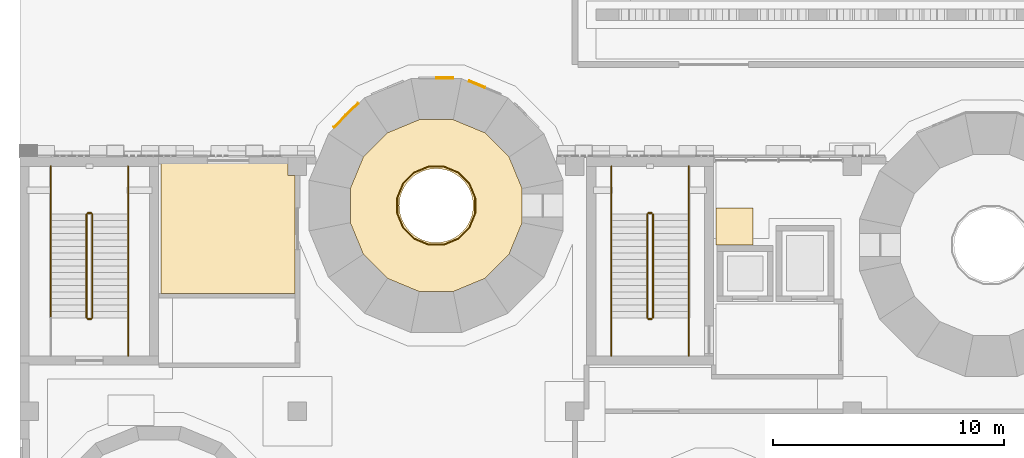
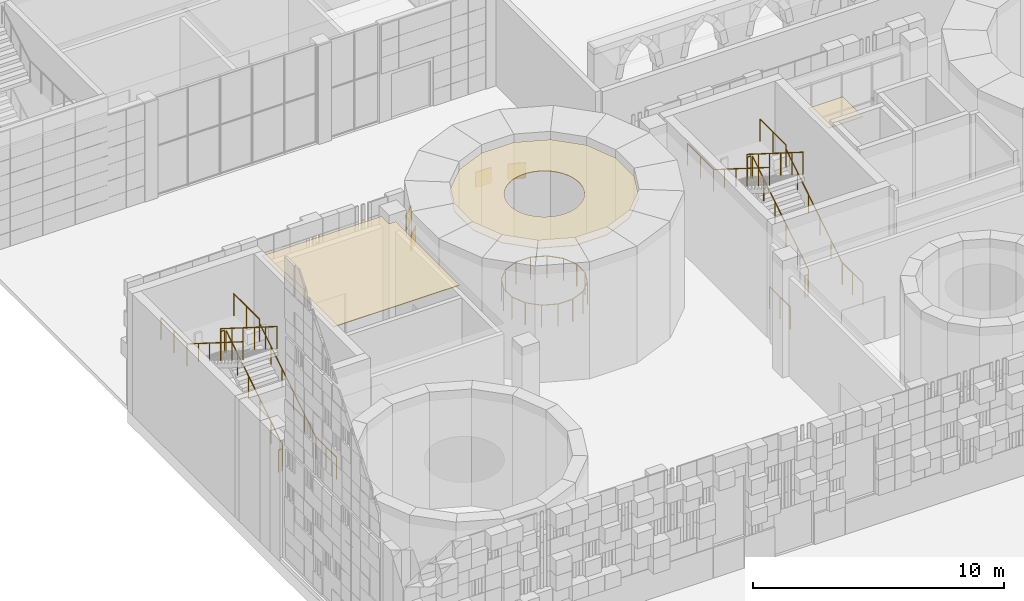
# One storey, part 75 of 125: 20 railings, 4 coverings.
"""IFC4 building model written with IfcOpenShell, lengths in metres."""

from ifc_helpers import new_model, si_unit, direction, frame, origin, origin_2d, place, context, subcontext, project, spatial, polyline, rectangle, circle, outline, extrude, material, layer, layer_set, type_object, element, save


model = new_model("IFC4")

# Units and contexts
model_context = context("Model", 3, precision=1e-05, world=origin(), true_north=direction((0.0, 1.0)))
body_context = subcontext(model_context, "Body", "Model", "MODEL_VIEW")
ifc_project = project(units=[si_unit("LENGTHUNIT", "METRE"), si_unit("AREAUNIT", "SQUARE_METRE"), si_unit("VOLUMEUNIT", "CUBIC_METRE"), si_unit("PLANEANGLEUNIT", "RADIAN"), si_unit("MASSUNIT", "GRAM", prefix="KILO")], contexts=[model_context])

# Site, building, storey
site_placement = place(None, origin())
site = spatial("IfcSite", under=ifc_project, at=site_placement, CompositionType="ELEMENT")
building_placement = place(site_placement, origin())
building = spatial("IfcBuilding", under=site, at=building_placement, Name="Sun Court Science Centre", CompositionType="ELEMENT")
storey_placement = place(building_placement, origin())
storey = spatial("IfcBuildingStorey", under=building, at=storey_placement, Name="L00", CompositionType="ELEMENT", Elevation=0.0)

# Coverings
ifc_material_1 = material(Name="Gypsum board")
ifc_layer_1 = layer(ifc_material_1, 0.030029296875)
ifc_layer_set_1 = layer_set([ifc_layer_1], Name="Gypsum board")
covering_type_1 = type_object("IfcCoveringType", Name="Ceiling suspended 600 module", PredefinedType="CEILING", material=ifc_layer_set_1)
covering_1_placement = place(storey_placement, frame((0.0, 0.0, 5.27001953125)))
element("IfcCovering", 1, at=covering_1_placement, inside=storey, type_object=covering_type_1, Name="L00-002 ceiling", PredefinedType="CEILING", context=body_context, shape_type="SweptSolid", body=[
    extrude(outline(polyline([(21.14990234375, 23.79541015625), (20.1044921875, 22.750244140625), (18.739013671875, 22.1845703125), (17.260986328125, 22.1845703125), (15.8955078125, 22.750244140625), (14.85009765625, 23.79541015625), (14.284423828125, 25.160888671875), (14.284423828125, 26.638916015625), (14.85009765625, 28.004638671875), (15.8955078125, 29.0498046875), (17.260986328125, 29.615478515625), (18.739013671875, 29.615478515625), (20.1044921875, 29.0498046875), (21.14990234375, 28.004638671875), (21.715576171875, 26.638916015625), (21.715576171875, 25.160888671875), (21.14990234375, 23.79541015625)]), holes=[polyline([(19.478271484375, 26.51220703125), (19.385498046875, 26.699951171875), (19.269287109375, 26.8740234375), (19.13134765625, 27.031494140625), (18.97412109375, 27.16943359375), (18.800048828125, 27.28564453125), (18.6123046875, 27.378173828125), (18.4140625, 27.445556640625), (18.208740234375, 27.486328125), (18.0, 27.5), (17.791259765625, 27.486328125), (17.5859375, 27.445556640625), (17.3876953125, 27.378173828125), (17.199951171875, 27.28564453125), (17.02587890625, 27.16943359375), (16.86865234375, 27.031494140625), (16.730712890625, 26.8740234375), (16.614501953125, 26.699951171875), (16.521728515625, 26.51220703125), (16.45458984375, 26.314208984375), (16.413818359375, 26.10888671875), (16.39990234375, 25.89990234375), (16.413818359375, 25.691162109375), (16.45458984375, 25.48583984375), (16.521728515625, 25.28759765625), (16.614501953125, 25.10009765625), (16.730712890625, 24.926025390625), (16.86865234375, 24.7685546875), (17.02587890625, 24.630615234375), (17.199951171875, 24.514404296875), (17.3876953125, 24.421875), (17.5859375, 24.3544921875), (17.791259765625, 24.313720703125), (18.0, 24.300048828125), (18.208740234375, 24.313720703125), (18.4140625, 24.3544921875), (18.6123046875, 24.421875), (18.800048828125, 24.514404296875), (18.97412109375, 24.630615234375), (19.13134765625, 24.7685546875), (19.269287109375, 24.926025390625), (19.385498046875, 25.10009765625), (19.478271484375, 25.28759765625), (19.54541015625, 25.48583984375), (19.586181640625, 25.691162109375), (19.60009765625, 25.89990234375), (19.586181640625, 26.10888671875), (19.54541015625, 26.314208984375), (19.478271484375, 26.51220703125)])]), origin(), (0.0, 0.0, 1.0), 0.030029296875),
])
covering_2_placement = place(storey_placement, frame((0.0, 0.0, 5.27001953125)))
element("IfcCovering", 2, at=covering_2_placement, inside=storey, type_object=covering_type_1, Name="L00-013 ceiling", PredefinedType="CEILING", context=body_context, shape_type="SweptSolid", body=[
    extrude(outline(polyline([(11.89990234375, 27.199951171875), (11.89990234375, 22.10009765625), (6.10009765625, 22.10009765625), (6.10009765625, 27.800048828125), (11.60009765625, 27.800048828125), (11.60009765625, 27.199951171875), (11.89990234375, 27.199951171875)])), origin(), (0.0, 0.0, 1.0), 0.030029296875),
])
covering_3_placement = place(storey_placement, frame((0.0, 0.0, 5.27001953125)))
element("IfcCovering", 3, at=covering_3_placement, inside=storey, type_object=covering_type_1, Name="L00-029 ceiling", PredefinedType="CEILING", context=body_context, shape_type="SweptSolid", body=[
    extrude(outline(polyline([(31.699951171875, 25.800048828125), (31.699951171875, 24.199951171875), (30.10009765625, 24.199951171875), (30.10009765625, 25.800048828125), (31.699951171875, 25.800048828125)])), origin(), (0.0, 0.0, 1.0), 0.030029296875),
])

# Railings
ifc_material_2 = material(Name="Steel S275", Category="steel")
railing_type_1 = type_object("IfcRailingType", Name="Guard 1100 steel balustrade", PredefinedType="GUARDRAIL", material=ifc_material_2)
railing_1_placement = place(storey_placement, frame((3.125, 21.048095703125, 0.176513671875)))
element("IfcRailing", 4, at=railing_1_placement, inside=storey, type_object=railing_type_1, Name="L00 SB1 stair guard 1", PredefinedType="GUARDRAIL", context=body_context, shape_type="SweptSolid", body=[
    extrude(circle(Radius=0.02392578125, at=origin_2d()), frame((0.0, 0.0, 1.076171875), z_axis=(0.0, 0.845997938375, 0.533186166611), x_axis=(-1.0, 0.0, 0.0)), (0.0, 0.0, 1.0), 5.29541015625),
    extrude(circle(Radius=0.02099609375, at=origin_2d()), origin(), (0.0, 0.0, 1.0), 1.052001953125),
    extrude(circle(Radius=0.02099609375, at=origin_2d()), frame((0.0, 0.89599609375, 0.564697265625)), (0.0, 0.0, 1.0), 1.052001953125),
    extrude(circle(Radius=0.02099609375, at=origin_2d()), frame((0.0, 1.7919921875, 1.12939453125)), (0.0, 0.0, 1.0), 1.052001953125),
    extrude(circle(Radius=0.02099609375, at=origin_2d()), frame((0.0, 2.68798828125, 1.694091796875)), (0.0, 0.0, 1.0), 1.052001953125),
    extrude(circle(Radius=0.02099609375, at=origin_2d()), frame((0.0, 3.583984375, 2.2587890625)), (0.0, 0.0, 1.0), 1.052001953125),
    extrude(circle(Radius=0.02099609375, at=origin_2d()), frame((0.0, 4.47998046875, 2.823486328125)), (0.0, 0.0, 1.0), 1.052001953125),
])
railing_2_placement = place(storey_placement, frame((3.074951171875, 25.577880859375, 3.0)))
element("IfcRailing", 5, at=railing_2_placement, inside=storey, type_object=railing_type_1, Name="L00 SB1 stair guard 2", PredefinedType="GUARDRAIL", context=body_context, shape_type="SweptSolid", body=[
    extrude(circle(Radius=0.02392578125, at=origin_2d()), frame((0.0, 0.0, 1.076171875), z_axis=(-1.0, 0.0, 0.0), x_axis=(0.0, -1.0, 0.0)), (0.0, 0.0, 1.0), 0.14990234375),
    extrude(circle(Radius=0.02099609375, at=origin_2d()), origin(), (0.0, 0.0, 1.0), 1.052001953125),
    extrude(circle(Radius=0.02099609375, at=origin_2d()), frame((-0.14990234375, 0.0, 0.0)), (0.0, 0.0, 1.0), 1.052001953125),
])
for number, where, name in (
    (6, (4.673095703125, 25.528076171875, 3.0), "L00 SB1 stair guard 3"),
    (7, (1.326904296875, 25.528076171875, 3.0), "L00 SB1 stair guard 4"),
):
    element("IfcRailing", number, at=place(storey_placement, frame(where)), inside=storey, type_object=railing_type_1, Name=name, PredefinedType="GUARDRAIL", context=body_context, shape_type="SweptSolid", body=[
        extrude(circle(Radius=0.02392578125, at=origin_2d()), frame((0.0, 0.0, 1.076171875), z_axis=(0.0, 1.0, 0.0), x_axis=(-1.0, 0.0, 0.0)), (0.0, 0.0, 1.0), 2.072021484375),
        extrude(circle(Radius=0.02099609375, at=origin_2d()), origin(), (0.0, 0.0, 1.0), 1.052001953125),
        extrude(circle(Radius=0.02099609375, at=origin_2d()), frame((0.0, 1.0361328125, 0.0)), (0.0, 0.0, 1.0), 1.052001953125),
        extrude(circle(Radius=0.02099609375, at=origin_2d()), frame((0.0, 2.072021484375, 0.0)), (0.0, 0.0, 1.0), 1.052001953125),
    ])
railing_3_placement = place(storey_placement, frame((2.875, 25.528076171875, 3.176513671875)))
element("IfcRailing", 8, at=railing_3_placement, inside=storey, type_object=railing_type_1, Name="L00 SB1 stair guard 5", PredefinedType="GUARDRAIL", context=body_context, shape_type="SweptSolid", body=[
    extrude(circle(Radius=0.02392578125, at=origin_2d()), frame((0.0, 0.0, 1.076171875), z_axis=(0.0, -0.845997938375, 0.533186166611), x_axis=(1.0, 0.0, 0.0)), (0.0, 0.0, 1.0), 5.29541015625),
    extrude(circle(Radius=0.02099609375, at=origin_2d()), origin(), (0.0, 0.0, 1.0), 1.052001953125),
    extrude(circle(Radius=0.02099609375, at=origin_2d()), frame((0.0, -0.89599609375, 0.564697265625)), (0.0, 0.0, 1.0), 1.052001953125),
    extrude(circle(Radius=0.02099609375, at=origin_2d()), frame((0.0, -1.7919921875, 1.12939453125)), (0.0, 0.0, 1.0), 1.052001953125),
    extrude(circle(Radius=0.02099609375, at=origin_2d()), frame((0.0, -2.68798828125, 1.694091796875)), (0.0, 0.0, 1.0), 1.052001953125),
    extrude(circle(Radius=0.02099609375, at=origin_2d()), frame((0.0, -3.583984375, 2.2587890625)), (0.0, 0.0, 1.0), 1.052001953125),
    extrude(circle(Radius=0.02099609375, at=origin_2d()), frame((0.0, -4.47998046875, 2.823486328125)), (0.0, 0.0, 1.0), 1.052001953125),
])
railing_4_placement = place(storey_placement, frame((3.074951171875, 20.998046875, 0.0)))
element("IfcRailing", 9, at=railing_4_placement, inside=storey, type_object=railing_type_1, Name="L00 SB1 stair guard 6", PredefinedType="GUARDRAIL", context=body_context, shape_type="SweptSolid", body=[
    extrude(circle(Radius=0.02392578125, at=origin_2d()), frame((0.0, 0.0, 1.076171875), z_axis=(-1.0, 0.0, 0.0), x_axis=(0.0, -1.0, 0.0)), (0.0, 0.0, 1.0), 0.14990234375),
    extrude(circle(Radius=0.02099609375, at=origin_2d()), origin(), (0.0, 0.0, 1.0), 1.052001953125),
    extrude(circle(Radius=0.02099609375, at=origin_2d()), frame((-0.14990234375, 0.0, 0.0)), (0.0, 0.0, 1.0), 1.052001953125),
])
railing_5_placement = place(storey_placement, frame((4.673095703125, 19.39990234375, 0.0)))
element("IfcRailing", 10, at=railing_5_placement, inside=storey, type_object=railing_type_1, Name="L00 SB1 stair guard 7", PredefinedType="GUARDRAIL", context=body_context, shape_type="SweptSolid", body=[
    extrude(circle(Radius=0.02392578125, at=origin_2d()), frame((0.0, 0.0, 1.076171875), z_axis=(0.0, 1.0, 0.0), x_axis=(-1.0, 0.0, 0.0)), (0.0, 0.0, 1.0), 1.648193359375),
    extrude(circle(Radius=0.02099609375, at=origin_2d()), origin(), (0.0, 0.0, 1.0), 1.052001953125),
    extrude(circle(Radius=0.02099609375, at=origin_2d()), frame((0.0, 0.82421875, 0.0)), (0.0, 0.0, 1.0), 1.052001953125),
    extrude(circle(Radius=0.02099609375, at=origin_2d()), frame((0.0, 1.648193359375, 0.0)), (0.0, 0.0, 1.0), 1.052001953125),
])
railing_6_placement = place(storey_placement, frame((27.375, 21.048095703125, 0.176513671875)))
element("IfcRailing", 11, at=railing_6_placement, inside=storey, type_object=railing_type_1, Name="L00 SB2 stair guard 1", PredefinedType="GUARDRAIL", context=body_context, shape_type="SweptSolid", body=[
    extrude(circle(Radius=0.02392578125, at=origin_2d()), frame((0.0, 0.0, 1.076171875), z_axis=(0.0, 0.845997938375, 0.533186166611), x_axis=(-1.0, 0.0, 0.0)), (0.0, 0.0, 1.0), 5.29541015625),
    extrude(circle(Radius=0.02099609375, at=origin_2d()), origin(), (0.0, 0.0, 1.0), 1.052001953125),
    extrude(circle(Radius=0.02099609375, at=origin_2d()), frame((0.0, 0.89599609375, 0.564697265625)), (0.0, 0.0, 1.0), 1.052001953125),
    extrude(circle(Radius=0.02099609375, at=origin_2d()), frame((0.0, 1.7919921875, 1.12939453125)), (0.0, 0.0, 1.0), 1.052001953125),
    extrude(circle(Radius=0.02099609375, at=origin_2d()), frame((0.0, 2.68798828125, 1.694091796875)), (0.0, 0.0, 1.0), 1.052001953125),
    extrude(circle(Radius=0.02099609375, at=origin_2d()), frame((0.0, 3.583984375, 2.2587890625)), (0.0, 0.0, 1.0), 1.052001953125),
    extrude(circle(Radius=0.02099609375, at=origin_2d()), frame((0.0, 4.47998046875, 2.823486328125)), (0.0, 0.0, 1.0), 1.052001953125),
])
railing_7_placement = place(storey_placement, frame((27.324951171875, 25.577880859375, 3.0)))
element("IfcRailing", 12, at=railing_7_placement, inside=storey, type_object=railing_type_1, Name="L00 SB2 stair guard 2", PredefinedType="GUARDRAIL", context=body_context, shape_type="SweptSolid", body=[
    extrude(circle(Radius=0.02392578125, at=origin_2d()), frame((0.0, 0.0, 1.076171875), z_axis=(-1.0, 0.0, 0.0), x_axis=(0.0, -1.0, 0.0)), (0.0, 0.0, 1.0), 0.14990234375),
    extrude(circle(Radius=0.02099609375, at=origin_2d()), origin(), (0.0, 0.0, 1.0), 1.052001953125),
    extrude(circle(Radius=0.02099609375, at=origin_2d()), frame((-0.14990234375, 0.0, 0.0)), (0.0, 0.0, 1.0), 1.052001953125),
])
for number, where, name in (
    (13, (28.923095703125, 25.528076171875, 3.0), "L00 SB2 stair guard 3"),
    (14, (25.576904296875, 25.528076171875, 3.0), "L00 SB2 stair guard 4"),
):
    element("IfcRailing", number, at=place(storey_placement, frame(where)), inside=storey, type_object=railing_type_1, Name=name, PredefinedType="GUARDRAIL", context=body_context, shape_type="SweptSolid", body=[
        extrude(circle(Radius=0.02392578125, at=origin_2d()), frame((0.0, 0.0, 1.076171875), z_axis=(0.0, 1.0, 0.0), x_axis=(-1.0, 0.0, 0.0)), (0.0, 0.0, 1.0), 2.072021484375),
        extrude(circle(Radius=0.02099609375, at=origin_2d()), origin(), (0.0, 0.0, 1.0), 1.052001953125),
        extrude(circle(Radius=0.02099609375, at=origin_2d()), frame((0.0, 1.0361328125, 0.0)), (0.0, 0.0, 1.0), 1.052001953125),
        extrude(circle(Radius=0.02099609375, at=origin_2d()), frame((0.0, 2.072021484375, 0.0)), (0.0, 0.0, 1.0), 1.052001953125),
    ])
railing_8_placement = place(storey_placement, frame((27.125, 25.528076171875, 3.176513671875)))
element("IfcRailing", 15, at=railing_8_placement, inside=storey, type_object=railing_type_1, Name="L00 SB2 stair guard 5", PredefinedType="GUARDRAIL", context=body_context, shape_type="SweptSolid", body=[
    extrude(circle(Radius=0.02392578125, at=origin_2d()), frame((0.0, 0.0, 1.076171875), z_axis=(0.0, -0.845997938375, 0.533186166611), x_axis=(1.0, 0.0, 0.0)), (0.0, 0.0, 1.0), 5.29541015625),
    extrude(circle(Radius=0.02099609375, at=origin_2d()), origin(), (0.0, 0.0, 1.0), 1.052001953125),
    extrude(circle(Radius=0.02099609375, at=origin_2d()), frame((0.0, -0.89599609375, 0.564697265625)), (0.0, 0.0, 1.0), 1.052001953125),
    extrude(circle(Radius=0.02099609375, at=origin_2d()), frame((0.0, -1.7919921875, 1.12939453125)), (0.0, 0.0, 1.0), 1.052001953125),
    extrude(circle(Radius=0.02099609375, at=origin_2d()), frame((0.0, -2.68798828125, 1.694091796875)), (0.0, 0.0, 1.0), 1.052001953125),
    extrude(circle(Radius=0.02099609375, at=origin_2d()), frame((0.0, -3.583984375, 2.2587890625)), (0.0, 0.0, 1.0), 1.052001953125),
    extrude(circle(Radius=0.02099609375, at=origin_2d()), frame((0.0, -4.47998046875, 2.823486328125)), (0.0, 0.0, 1.0), 1.052001953125),
])
railing_9_placement = place(storey_placement, frame((27.324951171875, 20.998046875, 0.0)))
element("IfcRailing", 16, at=railing_9_placement, inside=storey, type_object=railing_type_1, Name="L00 SB2 stair guard 6", PredefinedType="GUARDRAIL", context=body_context, shape_type="SweptSolid", body=[
    extrude(circle(Radius=0.02392578125, at=origin_2d()), frame((0.0, 0.0, 1.076171875), z_axis=(-1.0, 0.0, 0.0), x_axis=(0.0, -1.0, 0.0)), (0.0, 0.0, 1.0), 0.14990234375),
    extrude(circle(Radius=0.02099609375, at=origin_2d()), origin(), (0.0, 0.0, 1.0), 1.052001953125),
    extrude(circle(Radius=0.02099609375, at=origin_2d()), frame((-0.14990234375, 0.0, 0.0)), (0.0, 0.0, 1.0), 1.052001953125),
])
for number, where, name in (
    (17, (28.923095703125, 19.39990234375, 0.0), "L00 SB2 stair guard 7"),
    (18, (25.576904296875, 19.39990234375, 0.0), "L00 SB2 stair guard 8"),
):
    element("IfcRailing", number, at=place(storey_placement, frame(where)), inside=storey, type_object=railing_type_1, Name=name, PredefinedType="GUARDRAIL", context=body_context, shape_type="SweptSolid", body=[
        extrude(circle(Radius=0.02392578125, at=origin_2d()), frame((0.0, 0.0, 1.076171875), z_axis=(0.0, 1.0, 0.0), x_axis=(-1.0, 0.0, 0.0)), (0.0, 0.0, 1.0), 1.648193359375),
        extrude(circle(Radius=0.02099609375, at=origin_2d()), origin(), (0.0, 0.0, 1.0), 1.052001953125),
        extrude(circle(Radius=0.02099609375, at=origin_2d()), frame((0.0, 0.82421875, 0.0)), (0.0, 0.0, 1.0), 1.052001953125),
        extrude(circle(Radius=0.02099609375, at=origin_2d()), frame((0.0, 1.648193359375, 0.0)), (0.0, 0.0, 1.0), 1.052001953125),
    ])
ifc_material_3 = material(Name="Steel S275", Category="steel")
railing_type_2 = type_object("IfcRailingType", Name="Guard 1100 well balustrade", PredefinedType="GUARDRAIL", material=ifc_material_3)
railing_10_placement = place(storey_placement, frame((19.68701171875, 26.235595703125, 0.0)))
element("IfcRailing", 19, at=railing_10_placement, inside=storey, type_object=railing_type_2, Name="C2 well guard L00", PredefinedType="GUARDRAIL", context=body_context, shape_type="SweptSolid", body=[
    extrude(circle(Radius=0.02392578125, at=origin_2d()), frame((0.0, 0.0, 1.076171875), z_axis=(-0.382780256271, 0.923839420792, 0.0), x_axis=(-0.923839420792, -0.382780256271, 0.0)), (0.0, 0.0, 1.0), 0.6708984375),
    extrude(circle(Radius=0.02392578125, at=origin_2d()), frame((-0.2568359375, 0.619873046875, 1.076171875), z_axis=(-0.707106781187, 0.707106781187, 0.0), x_axis=(-0.707106781187, -0.707106781187, 0.0)), (0.0, 0.0, 1.0), 0.671142578125),
    extrude(circle(Radius=0.02392578125, at=origin_2d()), frame((-0.7314453125, 1.094482421875, 1.076171875), z_axis=(-0.923892706888, 0.382651625058, 0.0), x_axis=(-0.382651625058, -0.923892706888, 0.0)), (0.0, 0.0, 1.0), 0.671142578125),
    extrude(circle(Radius=0.02392578125, at=origin_2d()), frame((-1.3515625, 1.351318359375, 1.076171875), z_axis=(-1.0, 0.0, 0.0), x_axis=(0.0, -1.0, 0.0)), (0.0, 0.0, 1.0), 0.6708984375),
    extrude(circle(Radius=0.02392578125, at=origin_2d()), frame((-2.0224609375, 1.351318359375, 1.076171875), z_axis=(-0.923892706888, -0.382651625058, 0.0), x_axis=(0.382651625058, -0.923892706888, 0.0)), (0.0, 0.0, 1.0), 0.671142578125),
    extrude(circle(Radius=0.02392578125, at=origin_2d()), frame((-2.642578125, 1.094482421875, 1.076171875), z_axis=(-0.707106781187, -0.707106781187, 0.0), x_axis=(0.707106781187, -0.707106781187, 0.0)), (0.0, 0.0, 1.0), 0.671142578125),
    extrude(circle(Radius=0.02392578125, at=origin_2d()), frame((-3.1171875, 0.619873046875, 1.076171875), z_axis=(-0.382780256271, -0.923839420792, 0.0), x_axis=(0.923839420792, -0.382780256271, 0.0)), (0.0, 0.0, 1.0), 0.6708984375),
    extrude(circle(Radius=0.02392578125, at=origin_2d()), frame((-3.3740234375, 0.0, 1.076171875), z_axis=(0.0, -1.0, 0.0), x_axis=(1.0, 0.0, 0.0)), (0.0, 0.0, 1.0), 0.671142578125),
    extrude(circle(Radius=0.02392578125, at=origin_2d()), frame((-3.3740234375, -0.671142578125, 1.076171875), z_axis=(0.382651625058, -0.923892706888, 0.0), x_axis=(0.923892706888, 0.382651625058, 0.0)), (0.0, 0.0, 1.0), 0.671142578125),
    extrude(circle(Radius=0.02392578125, at=origin_2d()), frame((-3.1171875, -1.291259765625, 1.076171875), z_axis=(0.707288673597, -0.706924841975, 0.0), x_axis=(0.706924841975, 0.707288673597, 0.0)), (0.0, 0.0, 1.0), 0.671142578125),
    extrude(circle(Radius=0.02392578125, at=origin_2d()), frame((-2.642578125, -1.765625, 1.076171875), z_axis=(0.923892706888, -0.382651625058, 0.0), x_axis=(0.382651625058, 0.923892706888, 0.0)), (0.0, 0.0, 1.0), 0.671142578125),
    extrude(circle(Radius=0.02392578125, at=origin_2d()), frame((-2.0224609375, -2.0224609375, 1.076171875), z_axis=(1.0, 0.0, 0.0), x_axis=(0.0, 1.0, 0.0)), (0.0, 0.0, 1.0), 0.6708984375),
    extrude(circle(Radius=0.02392578125, at=origin_2d()), frame((-1.3515625, -2.0224609375, 1.076171875), z_axis=(0.923892706888, 0.382651625058, 0.0), x_axis=(-0.382651625058, 0.923892706888, 0.0)), (0.0, 0.0, 1.0), 0.671142578125),
    extrude(circle(Radius=0.02392578125, at=origin_2d()), frame((-0.7314453125, -1.765625, 1.076171875), z_axis=(0.707288673597, 0.706924841975, 0.0), x_axis=(-0.706924841975, 0.707288673597, 0.0)), (0.0, 0.0, 1.0), 0.671142578125),
    extrude(circle(Radius=0.02392578125, at=origin_2d()), frame((-0.2568359375, -1.291259765625, 1.076171875), z_axis=(0.382651625058, 0.923892706888, 0.0), x_axis=(-0.923892706888, 0.382651625058, 0.0)), (0.0, 0.0, 1.0), 0.671142578125),
    extrude(circle(Radius=0.02392578125, at=origin_2d()), frame((0.0, -0.671142578125, 1.076171875), z_axis=(0.0, 1.0, 0.0), x_axis=(-1.0, 0.0, 0.0)), (0.0, 0.0, 1.0), 0.671142578125),
    extrude(circle(Radius=0.02099609375, at=origin_2d()), origin(), (0.0, 0.0, 1.0), 1.052001953125),
    extrude(circle(Radius=0.02099609375, at=origin_2d()), frame((-0.2568359375, 0.619873046875, 0.0)), (0.0, 0.0, 1.0), 1.052001953125),
    extrude(circle(Radius=0.02099609375, at=origin_2d()), frame((-0.7314453125, 1.094482421875, 0.0)), (0.0, 0.0, 1.0), 1.052001953125),
    extrude(circle(Radius=0.02099609375, at=origin_2d()), frame((-1.3515625, 1.351318359375, 0.0)), (0.0, 0.0, 1.0), 1.052001953125),
    extrude(circle(Radius=0.02099609375, at=origin_2d()), frame((-2.0224609375, 1.351318359375, 0.0)), (0.0, 0.0, 1.0), 1.052001953125),
    extrude(circle(Radius=0.02099609375, at=origin_2d()), frame((-2.642578125, 1.094482421875, 0.0)), (0.0, 0.0, 1.0), 1.052001953125),
    extrude(circle(Radius=0.02099609375, at=origin_2d()), frame((-3.1171875, 0.619873046875, 0.0)), (0.0, 0.0, 1.0), 1.052001953125),
    extrude(circle(Radius=0.02099609375, at=origin_2d()), frame((-3.3740234375, 0.0, 0.0)), (0.0, 0.0, 1.0), 1.052001953125),
    extrude(circle(Radius=0.02099609375, at=origin_2d()), frame((-3.3740234375, -0.671142578125, 0.0)), (0.0, 0.0, 1.0), 1.052001953125),
    extrude(circle(Radius=0.02099609375, at=origin_2d()), frame((-3.1171875, -1.291259765625, 0.0)), (0.0, 0.0, 1.0), 1.052001953125),
    extrude(circle(Radius=0.02099609375, at=origin_2d()), frame((-2.642578125, -1.765625, 0.0)), (0.0, 0.0, 1.0), 1.052001953125),
    extrude(circle(Radius=0.02099609375, at=origin_2d()), frame((-2.0224609375, -2.0224609375, 0.0)), (0.0, 0.0, 1.0), 1.052001953125),
    extrude(circle(Radius=0.02099609375, at=origin_2d()), frame((-1.3515625, -2.0224609375, 0.0)), (0.0, 0.0, 1.0), 1.052001953125),
    extrude(circle(Radius=0.02099609375, at=origin_2d()), frame((-0.7314453125, -1.765625, 0.0)), (0.0, 0.0, 1.0), 1.052001953125),
    extrude(circle(Radius=0.02099609375, at=origin_2d()), frame((-0.2568359375, -1.291259765625, 0.0)), (0.0, 0.0, 1.0), 1.052001953125),
    extrude(circle(Radius=0.02099609375, at=origin_2d()), frame((0.0, -0.671142578125, 0.0)), (0.0, 0.0, 1.0), 1.052001953125),
])
ifc_material_4 = material(Name="Stainless steel", Category="steel")
railing_type_3 = type_object("IfcRailingType", Name="Handrail 900 stainless", PredefinedType="HANDRAIL", material=ifc_material_4)
railing_11_placement = place(storey_placement, frame((4.673095703125, 21.048095703125, 0.176513671875)))
element("IfcRailing", 20, at=railing_11_placement, inside=storey, type_object=railing_type_3, Name="L00 SB1 stair handrail 1", PredefinedType="HANDRAIL", context=body_context, shape_type="SweptSolid", body=[
    extrude(circle(Radius=0.02392578125, at=origin_2d()), frame((0.0, 0.0, 0.8759765625), z_axis=(0.0, 0.845997938375, 0.533186166611), x_axis=(-1.0, 0.0, 0.0)), (0.0, 0.0, 1.0), 5.29541015625),
    extrude(circle(Radius=0.02099609375, at=origin_2d()), origin(), (0.0, 0.0, 1.0), 0.851806640625),
    extrude(circle(Radius=0.02099609375, at=origin_2d()), frame((0.0, 0.89599609375, 0.564697265625)), (0.0, 0.0, 1.0), 0.851806640625),
    extrude(circle(Radius=0.02099609375, at=origin_2d()), frame((0.0, 1.7919921875, 1.12939453125)), (0.0, 0.0, 1.0), 0.851806640625),
    extrude(circle(Radius=0.02099609375, at=origin_2d()), frame((0.0, 2.68798828125, 1.694091796875)), (0.0, 0.0, 1.0), 0.851806640625),
    extrude(circle(Radius=0.02099609375, at=origin_2d()), frame((0.0, 3.583984375, 2.2587890625)), (0.0, 0.0, 1.0), 0.851806640625),
    extrude(circle(Radius=0.02099609375, at=origin_2d()), frame((0.0, 4.47998046875, 2.823486328125)), (0.0, 0.0, 1.0), 0.851806640625),
])
railing_12_placement = place(storey_placement, frame((1.326904296875, 25.528076171875, 3.176513671875)))
element("IfcRailing", 21, at=railing_12_placement, inside=storey, type_object=railing_type_3, Name="L00 SB1 stair handrail 2", PredefinedType="HANDRAIL", context=body_context, shape_type="SweptSolid", body=[
    extrude(circle(Radius=0.02392578125, at=origin_2d()), frame((0.0, 0.0, 0.8759765625), z_axis=(0.0, -0.845997938375, 0.533186166611), x_axis=(1.0, 0.0, 0.0)), (0.0, 0.0, 1.0), 5.29541015625),
    extrude(circle(Radius=0.02099609375, at=origin_2d()), origin(), (0.0, 0.0, 1.0), 0.851806640625),
    extrude(circle(Radius=0.02099609375, at=origin_2d()), frame((0.0, -0.89599609375, 0.564697265625)), (0.0, 0.0, 1.0), 0.851806640625),
    extrude(circle(Radius=0.02099609375, at=origin_2d()), frame((0.0, -1.7919921875, 1.12939453125)), (0.0, 0.0, 1.0), 0.851806640625),
    extrude(circle(Radius=0.02099609375, at=origin_2d()), frame((0.0, -2.68798828125, 1.694091796875)), (0.0, 0.0, 1.0), 0.851806640625),
    extrude(circle(Radius=0.02099609375, at=origin_2d()), frame((0.0, -3.583984375, 2.2587890625)), (0.0, 0.0, 1.0), 0.851806640625),
    extrude(circle(Radius=0.02099609375, at=origin_2d()), frame((0.0, -4.47998046875, 2.823486328125)), (0.0, 0.0, 1.0), 0.851806640625),
])
railing_13_placement = place(storey_placement, frame((28.923095703125, 21.048095703125, 0.176513671875)))
element("IfcRailing", 22, at=railing_13_placement, inside=storey, type_object=railing_type_3, Name="L00 SB2 stair handrail 1", PredefinedType="HANDRAIL", context=body_context, shape_type="SweptSolid", body=[
    extrude(circle(Radius=0.02392578125, at=origin_2d()), frame((0.0, 0.0, 0.8759765625), z_axis=(0.0, 0.845997938375, 0.533186166611), x_axis=(-1.0, 0.0, 0.0)), (0.0, 0.0, 1.0), 5.29541015625),
    extrude(circle(Radius=0.02099609375, at=origin_2d()), origin(), (0.0, 0.0, 1.0), 0.851806640625),
    extrude(circle(Radius=0.02099609375, at=origin_2d()), frame((0.0, 0.89599609375, 0.564697265625)), (0.0, 0.0, 1.0), 0.851806640625),
    extrude(circle(Radius=0.02099609375, at=origin_2d()), frame((0.0, 1.7919921875, 1.12939453125)), (0.0, 0.0, 1.0), 0.851806640625),
    extrude(circle(Radius=0.02099609375, at=origin_2d()), frame((0.0, 2.68798828125, 1.694091796875)), (0.0, 0.0, 1.0), 0.851806640625),
    extrude(circle(Radius=0.02099609375, at=origin_2d()), frame((0.0, 3.583984375, 2.2587890625)), (0.0, 0.0, 1.0), 0.851806640625),
    extrude(circle(Radius=0.02099609375, at=origin_2d()), frame((0.0, 4.47998046875, 2.823486328125)), (0.0, 0.0, 1.0), 0.851806640625),
])
railing_14_placement = place(storey_placement, frame((25.576904296875, 25.528076171875, 3.176513671875)))
element("IfcRailing", 23, at=railing_14_placement, inside=storey, type_object=railing_type_3, Name="L00 SB2 stair handrail 2", PredefinedType="HANDRAIL", context=body_context, shape_type="SweptSolid", body=[
    extrude(circle(Radius=0.02392578125, at=origin_2d()), frame((0.0, 0.0, 0.8759765625), z_axis=(0.0, -0.845997938375, 0.533186166611), x_axis=(1.0, 0.0, 0.0)), (0.0, 0.0, 1.0), 5.29541015625),
    extrude(circle(Radius=0.02099609375, at=origin_2d()), origin(), (0.0, 0.0, 1.0), 0.851806640625),
    extrude(circle(Radius=0.02099609375, at=origin_2d()), frame((0.0, -0.89599609375, 0.564697265625)), (0.0, 0.0, 1.0), 0.851806640625),
    extrude(circle(Radius=0.02099609375, at=origin_2d()), frame((0.0, -1.7919921875, 1.12939453125)), (0.0, 0.0, 1.0), 0.851806640625),
    extrude(circle(Radius=0.02099609375, at=origin_2d()), frame((0.0, -2.68798828125, 1.694091796875)), (0.0, 0.0, 1.0), 0.851806640625),
    extrude(circle(Radius=0.02099609375, at=origin_2d()), frame((0.0, -3.583984375, 2.2587890625)), (0.0, 0.0, 1.0), 0.851806640625),
    extrude(circle(Radius=0.02099609375, at=origin_2d()), frame((0.0, -4.47998046875, 2.823486328125)), (0.0, 0.0, 1.0), 0.851806640625),
])

# Covering
ifc_material_5 = material(Name="Terracotta shade 5", Category="masonry")
ifc_layer_2 = layer(ifc_material_5, 0.06005859375)
ifc_layer_set_2 = layer_set([ifc_layer_2], Name="Terracotta shade 5")
covering_type_2 = type_object("IfcCoveringType", Name="Terracotta pixel panel shade 5", PredefinedType="CLADDING", material=ifc_layer_set_2)
covering_4_placement = place(storey_placement, origin())
element("IfcCovering", 24, at=covering_4_placement, inside=storey, type_object=covering_type_2, Name="Terracotta pixel cladding shade 5 cone 2 L00", PredefinedType="CLADDING", context=body_context, shape_type="SweptSolid", body=[
    extrude(rectangle(XDim=0.739990234375, YDim=0.06005859375, at=origin_2d()), frame((19.766845703125, 31.1455078125, 2.2548828125), z_axis=(0.0, 0.0, 1.0), x_axis=(0.923879532511, -0.382683432365, 0.0)), (0.0, 0.0, 1.0), 0.739990234375),
    extrude(rectangle(XDim=0.739990234375, YDim=0.06005859375, at=origin_2d()), frame((18.375, 31.42236328125, 2.2548828125), z_axis=(0.0, 0.0, 1.0), x_axis=(1.0, 0.0, 0.0)), (0.0, 0.0, 1.0), 0.739990234375),
    extrude(rectangle(XDim=0.739990234375, YDim=0.06005859375, at=origin_2d()), frame((14.3603515625, 30.070068359375, 1.5048828125), z_axis=(0.0, 0.0, 1.0), x_axis=(0.707106781187, 0.707106781187, 0.0)), (0.0, 0.0, 1.0), 0.739990234375),
    extrude(rectangle(XDim=0.739990234375, YDim=0.06005859375, at=origin_2d()), frame((13.829833984375, 29.539794921875, 3.0048828125), z_axis=(0.0, 0.0, 1.0), x_axis=(0.707106781187, 0.707106781187, 0.0)), (0.0, 0.0, 1.0), 0.739990234375),
])

save(model, "model.ifc")
